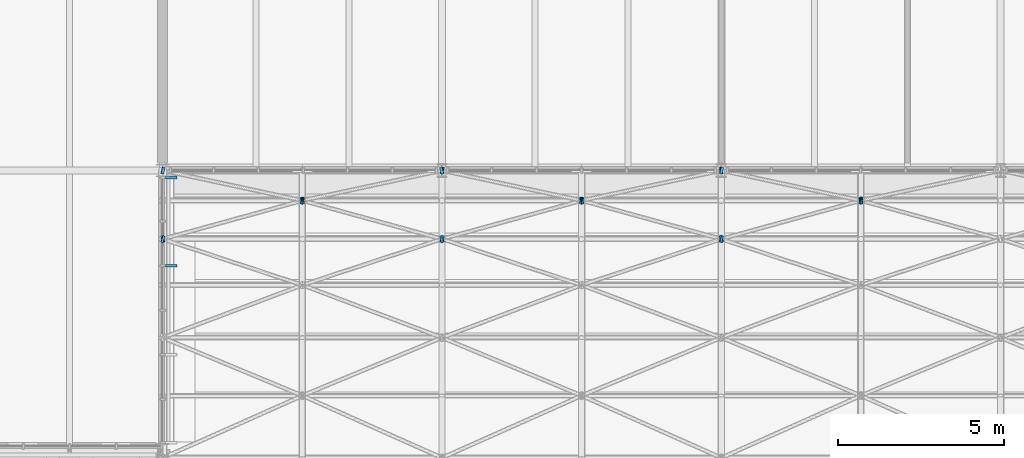
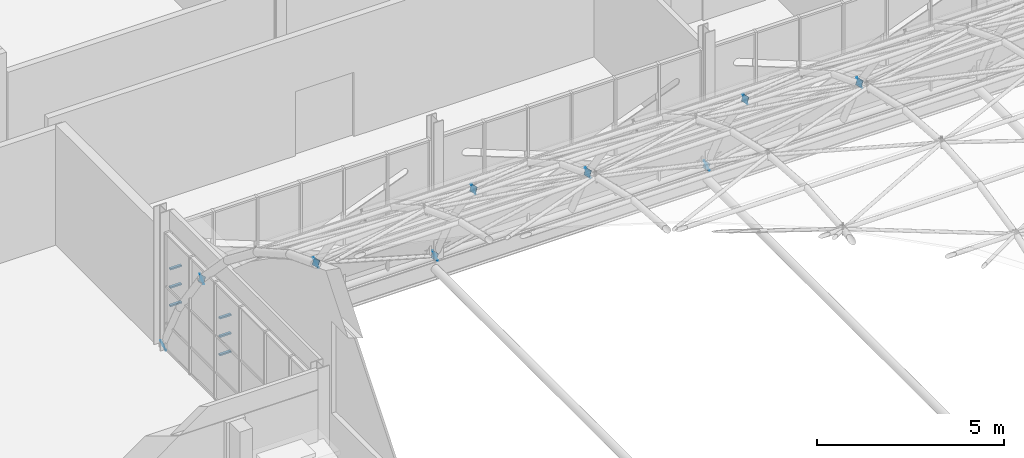
# One storey, part 110 of 121: 33 discrete accessories.
"""IFC4 building model written with IfcOpenShell, lengths in metres."""

from ifc_helpers import new_model, si_unit, direction, frame, origin, origin_2d, place, context, subcontext, project, spatial, rectangle, extrude, material, material_profile, profile_set, type_object, element, save


model = new_model("IFC4")

# Units and contexts
model_context = context("Model", 3, precision=1e-05, world=origin(), true_north=direction((0.0, 1.0)))
body_context = subcontext(model_context, "Body", "Model", "MODEL_VIEW")
ifc_project = project(units=[si_unit("LENGTHUNIT", "METRE"), si_unit("AREAUNIT", "SQUARE_METRE"), si_unit("VOLUMEUNIT", "CUBIC_METRE"), si_unit("PLANEANGLEUNIT", "RADIAN"), si_unit("MASSUNIT", "GRAM", prefix="KILO")], contexts=[model_context])

# Site, building, storey
site_placement = place(None, origin())
site = spatial("IfcSite", under=ifc_project, at=site_placement, CompositionType="ELEMENT")
building_placement = place(site_placement, origin())
building = spatial("IfcBuilding", under=site, at=building_placement, Name="Ardhachandra Cancer Care Centre", CompositionType="ELEMENT")
storey_placement = place(building_placement, frame((0.0, 0.0, 9.0)))
storey = spatial("IfcBuildingStorey", under=building, at=storey_placement, Name="L02", CompositionType="ELEMENT", Elevation=9.0)

# Discrete accessories
ifc_material_1 = material(Name="Steel E250 (IS 2062)", Category="steel")
ifc_material_profile = material_profile(ifc_material_1, rectangle(XDim=0.21435546875, YDim=0.21435546875, at=origin_2d()), Name="PL 214x214x12")
ifc_profile_set = profile_set([ifc_material_profile], Name="Steel E250 (IS 2062)")
discrete_accessory_type_1 = type_object("IfcDiscreteAccessoryType", Name="Diagonal end plate 214 x 214 x 12", PredefinedType="BRACKET", material=ifc_profile_set)
for number, where, z_axis, x_axis, name in (
    (1, (44.39990234375, 77.738037109375, 3.426025390625), (0.904534033733, -0.301511344578, 0.301511344578), (0.316227766017, 0.948683298051, 0.0), "Diagonal end plate Hall shell diagonal 01-13 2"),
    (2, (44.39990234375, 77.738037109375, 3.426025390625), (0.907656609489, 0.24204176253, -0.342892496918), (-0.25766265056, 0.966234939601, 0.0), "Diagonal end plate Hall shell diagonal 00-14 1"),
    (3, (48.60009765625, 78.89501953125, 1.788818359375), (-0.901262652189, -0.24033670725, 0.360505060876), (0.25766265056, -0.966234939601, 0.0), "Diagonal end plate Hall shell diagonal 00-14 2"),
):
    element("IfcDiscreteAccessory", number, at=place(storey_placement, frame(where, z_axis=z_axis, x_axis=x_axis)), inside=storey, type_object=discrete_accessory_type_1, Name=name, PredefinedType="BRACKET", context=body_context, shape_type="SweptSolid", body=[
        extrude(rectangle(XDim=0.21435546875, YDim=0.21435546875, at=origin_2d()), origin(), (0.0, 0.0, 1.0), 0.01220703125),
    ])
discrete_accessory_1_placement = place(storey_placement, frame((48.60009765625, 78.89501953125, 1.788818359375), z_axis=(-0.909322885136, 0.202071752252, -0.363729154054), x_axis=(-0.216930457819, -0.976187060184, 0.0)))
element("IfcDiscreteAccessory", 4, at=discrete_accessory_1_placement, inside=storey, type_object=discrete_accessory_type_1, Name="Diagonal end plate Hall shell diagonal 01-15 1", PredefinedType="BRACKET", context=body_context, shape_type="SweptSolid", body=[
    extrude(rectangle(XDim=0.21435546875, YDim=0.21435546875, at=origin_2d()), origin(), (0.0, 0.0, 1.0), 0.011962890625),
])
for number, where, z_axis, x_axis, name in (
    (5, (44.39990234375, 79.800048828125, 0.0), (0.902530633635, -0.20056236303, 0.381068489757), (0.216930457819, 0.976187060184, 0.0), "Diagonal end plate Hall shell diagonal 01-15 2"),
    (6, (52.800048828125, 77.738037109375, 3.426025390625), (-0.904534033733, -0.301511344578, 0.301511344578), (0.316227766017, -0.948683298051, 0.0), "Diagonal end plate Hall shell diagonal 01-13 2"),
    (7, (52.800048828125, 77.738037109375, 3.426025390625), (-0.907656609489, 0.24204176253, -0.342892496918), (-0.25766265056, -0.966234939601, 0.0), "Diagonal end plate Hall shell diagonal 02-14 1"),
):
    element("IfcDiscreteAccessory", number, at=place(storey_placement, frame(where, z_axis=z_axis, x_axis=x_axis)), inside=storey, type_object=discrete_accessory_type_1, Name=name, PredefinedType="BRACKET", context=body_context, shape_type="SweptSolid", body=[
        extrude(rectangle(XDim=0.21435546875, YDim=0.21435546875, at=origin_2d()), origin(), (0.0, 0.0, 1.0), 0.01220703125),
    ])
for number, where, z_axis, x_axis, name in (
    (8, (48.60009765625, 78.89501953125, 1.788818359375), (0.897398718093, -0.244745104934, 0.367117657402), (0.263117405792, 0.964763821238, 0.0), "Diagonal end plate Hall shell diagonal 02-14 2"),
    (9, (48.60009765625, 78.89501953125, 1.788818359375), (0.905725666552, 0.205846742398, -0.370524136317), (-0.221621103589, 0.975132855791, 0.0), "Diagonal end plate Hall shell diagonal 01-15 1"),
):
    element("IfcDiscreteAccessory", number, at=place(storey_placement, frame(where, z_axis=z_axis, x_axis=x_axis)), inside=storey, type_object=discrete_accessory_type_1, Name=name, PredefinedType="BRACKET", context=body_context, shape_type="SweptSolid", body=[
        extrude(rectangle(XDim=0.21435546875, YDim=0.21435546875, at=origin_2d()), origin(), (0.0, 0.0, 1.0), 0.011962890625),
    ])
discrete_accessory_2_placement = place(storey_placement, frame((52.800048828125, 79.800048828125, 0.0), z_axis=(-0.902530633635, -0.20056236303, 0.381068489757), x_axis=(0.216930457819, -0.976187060184, 0.0)))
element("IfcDiscreteAccessory", 10, at=discrete_accessory_2_placement, inside=storey, type_object=discrete_accessory_type_1, Name="Diagonal end plate Hall shell diagonal 01-15 2", PredefinedType="BRACKET", context=body_context, shape_type="SweptSolid", body=[
    extrude(rectangle(XDim=0.21435546875, YDim=0.21435546875, at=origin_2d()), origin(), (0.0, 0.0, 1.0), 0.01220703125),
])
for number, where, z_axis, x_axis, name in (
    (11, (52.800048828125, 77.738037109375, 3.426025390625), (0.900777348936, -0.307083187137, 0.307083187137), (0.322673927788, 0.946510188179, 0.0), "Diagonal end plate Hall shell diagonal 03-13 2"),
    (12, (52.800048828125, 77.738037109375, 3.426025390625), (0.904003571195, 0.246546428508, -0.349274107053), (-0.263117405792, 0.964763821238, 0.0), "Diagonal end plate Hall shell diagonal 02-14 1"),
    (13, (57.0, 78.89501953125, 1.788818359375), (-0.897398718093, -0.244745104934, 0.367117657402), (0.263117405792, -0.964763821238, 0.0), "Diagonal end plate Hall shell diagonal 02-14 2"),
    (14, (57.0, 78.89501953125, 1.788818359375), (-0.905725666552, 0.205846742398, -0.370524136317), (-0.221621103589, -0.975132855791, 0.0), "Diagonal end plate Hall shell diagonal 03-15 1"),
    (15, (52.800048828125, 79.800048828125, 0.0), (0.898708107226, -0.204251842551, 0.388078500848), (0.221621103589, 0.975132855791, 0.0), "Diagonal end plate Hall shell diagonal 03-15 2"),
    (16, (61.199951171875, 77.738037109375, 3.426025390625), (-0.900777348936, -0.307083187137, 0.307083187137), (0.322673927788, -0.946510188179, 0.0), "Diagonal end plate Hall shell diagonal 03-13 2"),
    (17, (61.199951171875, 77.738037109375, 3.426025390625), (-0.904003571195, 0.246546428508, -0.349274107053), (-0.263117405792, -0.964763821238, 0.0), "Diagonal end plate Hall shell diagonal 04-14 1"),
    (18, (57.0, 78.89501953125, 1.788818359375), (0.897398718093, -0.244745104934, 0.367117657402), (0.263117405792, 0.964763821238, 0.0), "Diagonal end plate Hall shell diagonal 04-14 2"),
    (19, (57.0, 78.89501953125, 1.788818359375), (0.905725666552, 0.205846742398, -0.370524136317), (-0.221621103589, 0.975132855791, 0.0), "Diagonal end plate Hall shell diagonal 03-15 1"),
    (20, (61.199951171875, 79.800048828125, 0.0), (-0.898708107226, -0.204251842551, 0.388078500848), (0.221621103589, -0.975132855791, 0.0), "Diagonal end plate Hall shell diagonal 03-15 2"),
):
    element("IfcDiscreteAccessory", number, at=place(storey_placement, frame(where, z_axis=z_axis, x_axis=x_axis)), inside=storey, type_object=discrete_accessory_type_1, Name=name, PredefinedType="BRACKET", context=body_context, shape_type="SweptSolid", body=[
        extrude(rectangle(XDim=0.21435546875, YDim=0.21435546875, at=origin_2d()), origin(), (0.0, 0.0, 1.0), 0.011962890625),
    ])
for number, where, z_axis, x_axis, name in (
    (21, (61.199951171875, 77.738037109375, 3.426025390625), (0.904534033733, -0.301511344578, 0.301511344578), (0.316227766017, 0.948683298051, 0.0), "Diagonal end plate Hall shell diagonal 05-13 2"),
    (22, (61.199951171875, 77.738037109375, 3.426025390625), (0.907656609489, 0.24204176253, -0.342892496918), (-0.25766265056, 0.966234939601, 0.0), "Diagonal end plate Hall shell diagonal 04-14 1"),
):
    element("IfcDiscreteAccessory", number, at=place(storey_placement, frame(where, z_axis=z_axis, x_axis=x_axis)), inside=storey, type_object=discrete_accessory_type_1, Name=name, PredefinedType="BRACKET", context=body_context, shape_type="SweptSolid", body=[
        extrude(rectangle(XDim=0.21435546875, YDim=0.21435546875, at=origin_2d()), origin(), (0.0, 0.0, 1.0), 0.01220703125),
    ])
for number, where, z_axis, x_axis, name in (
    (23, (65.39990234375, 78.89501953125, 1.788818359375), (-0.897398718093, -0.244745104934, 0.367117657402), (0.263117405792, -0.964763821238, 0.0), "Diagonal end plate Hall shell diagonal 04-14 2"),
    (24, (65.39990234375, 78.89501953125, 1.788818359375), (-0.905725666552, 0.205846742398, -0.370524136317), (-0.221621103589, -0.975132855791, 0.0), "Diagonal end plate Hall shell diagonal 05-15 1"),
):
    element("IfcDiscreteAccessory", number, at=place(storey_placement, frame(where, z_axis=z_axis, x_axis=x_axis)), inside=storey, type_object=discrete_accessory_type_1, Name=name, PredefinedType="BRACKET", context=body_context, shape_type="SweptSolid", body=[
        extrude(rectangle(XDim=0.21435546875, YDim=0.21435546875, at=origin_2d()), origin(), (0.0, 0.0, 1.0), 0.011962890625),
    ])
for number, where, z_axis, x_axis, name in (
    (25, (61.199951171875, 79.800048828125, 0.0), (0.902530633635, -0.20056236303, 0.381068489757), (0.216930457819, 0.976187060184, 0.0), "Diagonal end plate Hall shell diagonal 05-15 2"),
    (26, (65.39990234375, 78.89501953125, 1.788818359375), (0.901262652189, -0.24033670725, 0.360505060876), (0.25766265056, 0.966234939601, 0.0), "Diagonal end plate Hall shell diagonal 06-14 2"),
):
    element("IfcDiscreteAccessory", number, at=place(storey_placement, frame(where, z_axis=z_axis, x_axis=x_axis)), inside=storey, type_object=discrete_accessory_type_1, Name=name, PredefinedType="BRACKET", context=body_context, shape_type="SweptSolid", body=[
        extrude(rectangle(XDim=0.21435546875, YDim=0.21435546875, at=origin_2d()), origin(), (0.0, 0.0, 1.0), 0.01220703125),
    ])
discrete_accessory_3_placement = place(storey_placement, frame((65.39990234375, 78.89501953125, 1.788818359375), z_axis=(0.909322885136, 0.202071752252, -0.363729154054), x_axis=(-0.216930457819, 0.976187060184, 0.0)))
element("IfcDiscreteAccessory", 27, at=discrete_accessory_3_placement, inside=storey, type_object=discrete_accessory_type_1, Name="Diagonal end plate Hall shell diagonal 05-15 1", PredefinedType="BRACKET", context=body_context, shape_type="SweptSolid", body=[
    extrude(rectangle(XDim=0.21435546875, YDim=0.21435546875, at=origin_2d()), origin(), (0.0, 0.0, 1.0), 0.011962890625),
])
ifc_material_2 = material(Name="Galvanised flat steel (Steel E250 (IS 2062))", Category="steel")
discrete_accessory_type_2 = type_object("IfcDiscreteAccessoryType", Name="Louvre bracket 80 x 350", PredefinedType="BRACKET", material=ifc_material_2)
for number, where, z_axis, x_axis, name in (
    (28, (44.655029296875, 76.938720703125, 1.38427734375), (0.0, 0.0, 1.0), (0.0, 1.0, 0.0), "Louvre bracket L02/e/0044400_0071400 1.3"),
    (29, (44.655029296875, 79.5859375, 1.38427734375), (0.0, 0.0, 1.0), (0.0, 1.0, 0.0), "Louvre bracket L02/e/0044400_0071400 1.4"),
    (30, (44.655029296875, 76.938720703125, 1.984375), (0.0, 0.0, 1.0), (0.0, 1.0, 0.0), "Louvre bracket L02/e/0044400_0071400 2.3"),
    (31, (44.655029296875, 79.5859375, 1.984375), (0.0, 0.0, 1.0), (0.0, 1.0, 0.0), "Louvre bracket L02/e/0044400_0071400 2.4"),
    (32, (44.655029296875, 76.938720703125, 2.58447265625), (0.0, 0.0, 1.0), (0.0, 1.0, 0.0), "Louvre bracket L02/e/0044400_0071400 3.3"),
    (33, (44.655029296875, 79.5859375, 2.58447265625), (0.0, 0.0, 1.0), (0.0, 1.0, 0.0), "Louvre bracket L02/e/0044400_0071400 3.4"),
):
    element("IfcDiscreteAccessory", number, at=place(storey_placement, frame(where, z_axis=z_axis, x_axis=x_axis)), inside=storey, type_object=discrete_accessory_type_2, Name=name, PredefinedType="BRACKET", context=body_context, shape_type="SweptSolid", body=[
        extrude(rectangle(XDim=0.080078125, YDim=0.35009765625, at=origin_2d()), origin(), (0.0, 0.0, 1.0), 0.050048828125),
    ])

save(model, "model.ifc")
